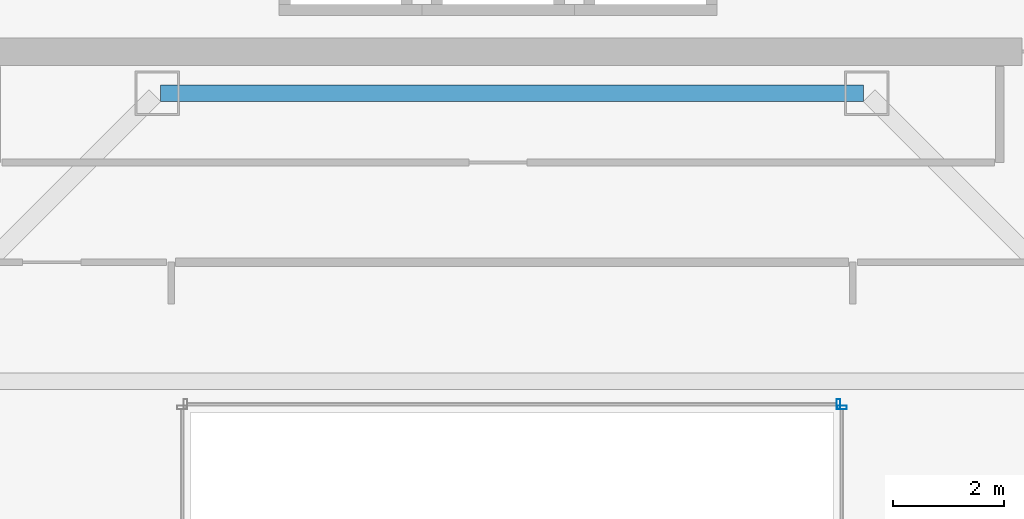
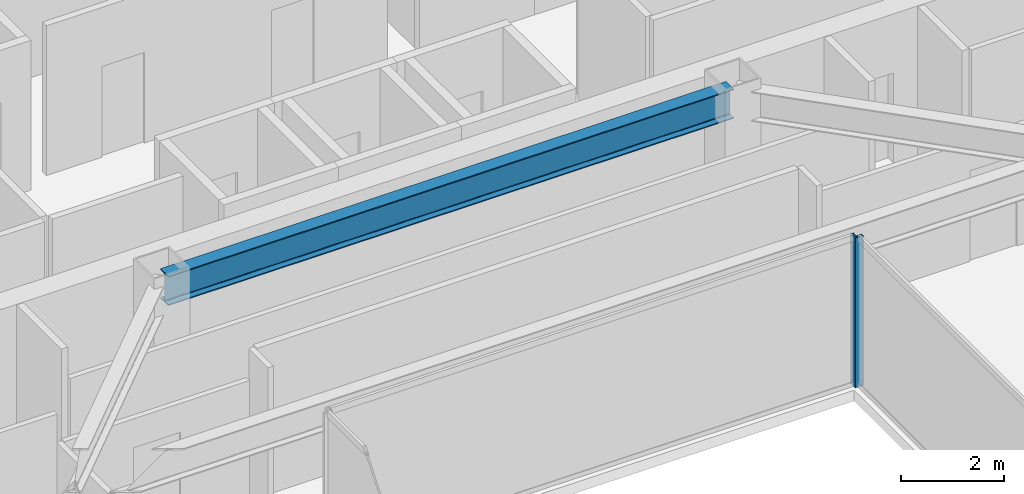
# One storey, part 15 of 35: 2 members, 1 beam, 2 elements without a shape of their own.
"""IFC4 building model written with IfcOpenShell, lengths in metres."""

from ifc_helpers import new_model, si_unit, direction, frame, origin, origin_2d, place, context, subcontext, project, spatial, hollow_rectangle, i_section, extrude, material, material_profile, profile_set, type_object, element, aggregate, save


model = new_model("IFC4")

# Units and contexts
model_context = context("Model", 3, precision=1e-05, world=origin(), true_north=direction((0.0, 1.0)))
body_context = subcontext(model_context, "Body", "Model", "MODEL_VIEW")
ifc_project = project(units=[si_unit("LENGTHUNIT", "METRE"), si_unit("AREAUNIT", "SQUARE_METRE"), si_unit("VOLUMEUNIT", "CUBIC_METRE"), si_unit("PLANEANGLEUNIT", "RADIAN"), si_unit("MASSUNIT", "GRAM", prefix="KILO")], contexts=[model_context])

# Site, building, storey
site_placement = place(None, origin())
site = spatial("IfcSite", under=ifc_project, at=site_placement, CompositionType="ELEMENT")
building_placement = place(site_placement, origin())
building = spatial("IfcBuilding", under=site, at=building_placement, Name="Saevonmaru Cultural Tower", CompositionType="ELEMENT")
storey_placement = place(building_placement, frame((0.0, 0.0, 194.199951171875)))
storey = spatial("IfcBuildingStorey", under=building, at=storey_placement, Name="L44", CompositionType="ELEMENT", Elevation=194.199951171875)

# Beam
ifc_material_1 = material(Name="Steel SM355", Category="steel")
ifc_material_profile_1 = material_profile(ifc_material_1, i_section(OverallWidth=0.300048828125, OverallDepth=0.699951171875, WebThickness=0.012939453125, FlangeThickness=0.02392578125, FilletRadius=0.02587890625, at=origin_2d()), Name="H-700x300x13x24")
ifc_profile_set_1 = profile_set([ifc_material_profile_1], Name="Steel SM355")
beam_type = type_object("IfcBeamType", Name="BM-G-H700", PredefinedType="BEAM", material=ifc_profile_set_1)
beam_placement = place(storey_placement, frame((23.659912109375, 42.39990234375, 3.199951171875), z_axis=(1.0, 0.0, 0.0), x_axis=(0.0, 1.0, 0.0)))
element("IfcBeam", 1, at=beam_placement, inside=storey, type_object=beam_type, Name="L44 Core South Girder 3", PredefinedType="BEAM", context=body_context, shape_type="SweptSolid", body=[
    extrude(i_section(OverallWidth=0.300048828125, OverallDepth=0.699951171875, WebThickness=0.012939453125, FlangeThickness=0.02392578125, FilletRadius=0.02587890625, at=origin_2d()), origin(), (0.0, 0.0, 1.0), 12.68017578125),
])

# Curtain wall, member
ifc_material_2 = material(Name="Satin Bronze Anodised Aluminium", Category="aluminium")
curtain_wall_type = type_object("IfcCurtainWallType", Name="CW-ATR-GLZ", PredefinedType="NOTDEFINED", material=ifc_material_2)
curtain_wall_1_placement = place(storey_placement, origin())
curtain_wall_1 = element("IfcCurtainWall", 2, at=curtain_wall_1_placement, inside=storey, type_object=curtain_wall_type, Name="L44 Vertical Atrium Glazed Smoke Screen 2", PredefinedType="NOTDEFINED")
ifc_material_profile_2 = material_profile(ifc_material_2, hollow_rectangle(XDim=0.06494140625, YDim=0.179931640625, WallThickness=0.00390625, at=origin_2d()), Name="ALU-MULL-180x65x4")
ifc_profile_set_2 = profile_set([ifc_material_profile_2], Name="Satin Bronze Anodised Aluminium")
member_type = type_object("IfcMemberType", Name="ML-CW-INT-180x65", PredefinedType="MULLION", material=ifc_profile_set_2)
member_1_placement = place(storey_placement, frame((35.949951171875, 36.72998046875, 0.0), z_axis=(0.0, 0.0, 1.0), x_axis=(0.0, 1.0, 0.0)))
member_1 = element("IfcMember", 3, at=member_1_placement, type_object=member_type, Name="CW-ATR-L44-2 mullion 2", PredefinedType="MULLION", context=body_context, shape_type="SweptSolid", body=[
    extrude(hollow_rectangle(XDim=0.06494140625, YDim=0.179931640625, WallThickness=0.00390625, at=origin_2d()), origin(), (0.0, 0.0, 1.0), 3.550048828125),
])
aggregate(curtain_wall_1, [member_1])

curtain_wall_2_placement = place(storey_placement, origin())
curtain_wall_2 = element("IfcCurtainWall", 4, at=curtain_wall_2_placement, inside=storey, type_object=curtain_wall_type, Name="L44 Vertical Atrium Glazed Smoke Screen 3", PredefinedType="NOTDEFINED")
member_2_placement = place(storey_placement, frame((35.889892578125, 36.7900390625, 0.0), z_axis=(0.0, 0.0, 1.0), x_axis=(-1.0, 0.0, 0.0)))
member_2 = element("IfcMember", 5, at=member_2_placement, type_object=member_type, Name="CW-ATR-L44-3 mullion 1", PredefinedType="MULLION", context=body_context, shape_type="SweptSolid", body=[
    extrude(hollow_rectangle(XDim=0.06494140625, YDim=0.179931640625, WallThickness=0.00390625, at=origin_2d()), origin(), (0.0, 0.0, 1.0), 3.550048828125),
])
aggregate(curtain_wall_2, [member_2])

save(model, "model.ifc")
